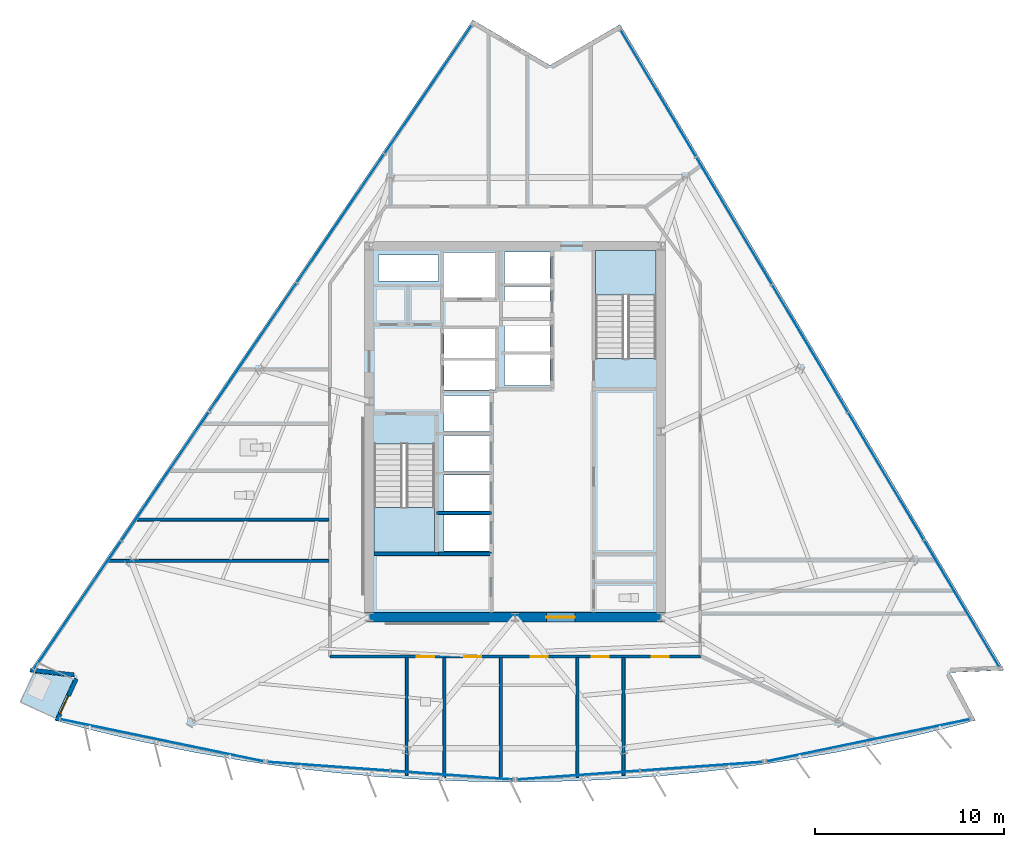
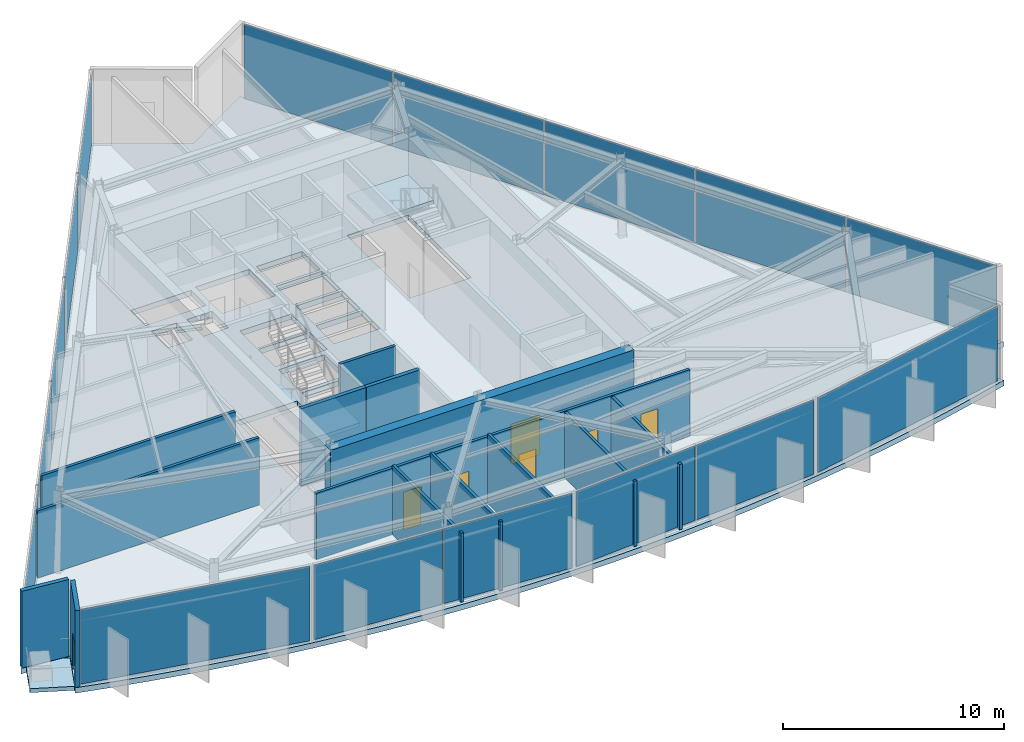
# One storey, part 6 of 13: 16 plates, 14 walls, 7 doors, 4 slabs, 7 openings, 8 elements without a shape of their own.
"""IFC4 building model written with IfcOpenShell, lengths in metres."""

from ifc_helpers import new_model, si_unit, direction, frame, frame_2d, origin, origin_2d, place, context, subcontext, project, spatial, polyline, rectangle, outline, extrude, material, layer, layer_set, type_object, element, fill, aggregate, save


model = new_model("IFC4")

# Units and contexts
model_context = context("Model", 3, precision=1e-05, world=origin(), true_north=direction((0.0, 1.0)))
body_context = subcontext(model_context, "Body", "Model", "MODEL_VIEW")
ifc_project = project(units=[si_unit("LENGTHUNIT", "METRE"), si_unit("AREAUNIT", "SQUARE_METRE"), si_unit("VOLUMEUNIT", "CUBIC_METRE"), si_unit("PLANEANGLEUNIT", "RADIAN"), si_unit("MASSUNIT", "GRAM", prefix="KILO")], contexts=[model_context])

# Site, building, storey
site_placement = place(None, origin())
site = spatial("IfcSite", under=ifc_project, at=site_placement, CompositionType="ELEMENT")
building_placement = place(site_placement, origin())
building = spatial("IfcBuilding", under=site, at=building_placement, Name="Savorim Split Tower", CompositionType="ELEMENT")
storey_placement = place(building_placement, frame((0.0, 0.0, 190.199951171875)))
storey = spatial("IfcBuildingStorey", under=building, at=storey_placement, Name="L50", CompositionType="ELEMENT", Elevation=190.199951171875)

# Curtain wall, plate
ifc_material_1 = material(Name="Dark Ceramic-Fritted Insulated Glass", Category="glass")
curtain_wall_type = type_object("IfcCurtainWallType", Name="CW-SKY-ATRIUM", PredefinedType="NOTDEFINED", material=ifc_material_1)
curtain_wall_1_placement = place(storey_placement, origin())
curtain_wall_1 = element("IfcCurtainWall", 1, at=curtain_wall_1_placement, inside=storey, type_object=curtain_wall_type, Name="L50 Curtain Wall CW-L50-SF1", PredefinedType="NOTDEFINED")
ifc_layer_1 = layer(ifc_material_1, 0.028076171875)
ifc_layer_set_1 = layer_set([ifc_layer_1], Name="CWP-FRITA-28")
plate_type = type_object("IfcPlateType", Name="CWP-FRITA-28", PredefinedType="CURTAIN_PANEL", material=ifc_layer_set_1)
plate_1_placement = place(storey_placement, frame((-18.65283203125, -15.901123046875, 0.06005859375), z_axis=(0.0, 0.0, 1.0), x_axis=(0.979135601511, -0.203207957161, 0.0)))
plate_1 = element("IfcPlate", 2, at=plate_1_placement, type_object=plate_type, Name="CW-05 panel 1.1", PredefinedType="CURTAIN_PANEL", context=body_context, shape_type="SweptSolid", body=[
    extrude(rectangle(XDim=10.926513671875, YDim=0.028076171875, at=origin_2d()), origin(), (0.0, 0.0, 1.0), 4.1298828125),
])
aggregate(curtain_wall_1, [plate_1])

# Curtain wall, plates
curtain_wall_2_placement = place(storey_placement, origin())
curtain_wall_2 = element("IfcCurtainWall", 3, at=curtain_wall_2_placement, inside=storey, type_object=curtain_wall_type, Name="L50 Curtain Wall CW-L50-SF2", PredefinedType="NOTDEFINED")
plate_2_placement = place(storey_placement, frame((-9.844482421875, -17.27587890625, 0.06005859375), z_axis=(0.0, 0.0, 1.0), x_axis=(0.997436161804, -0.071561883187, 0.0)))
plate_2 = element("IfcPlate", 4, at=plate_2_placement, type_object=plate_type, Name="CW-05 panel 1.1", PredefinedType="CURTAIN_PANEL", context=body_context, shape_type="SweptSolid", body=[
    extrude(rectangle(XDim=6.4521484375, YDim=0.028076171875, at=origin_2d()), origin(), (0.0, 0.0, 1.0), 4.1298828125),
])
plate_3_placement = place(storey_placement, frame((-3.3388671875, -17.742431640625, 0.06005859375), z_axis=(0.0, 0.0, 1.0), x_axis=(0.997436161804, -0.071561883187, 0.0)))
plate_3 = element("IfcPlate", 5, at=plate_3_placement, type_object=plate_type, Name="CW-05 panel 2.1", PredefinedType="CURTAIN_PANEL", context=body_context, shape_type="SweptSolid", body=[
    extrude(rectangle(XDim=6.4521484375, YDim=0.028076171875, at=origin_2d()), origin(), (0.0, 0.0, 1.0), 4.1298828125),
])
aggregate(curtain_wall_2, [plate_2, plate_3])

curtain_wall_3_placement = place(storey_placement, origin())
curtain_wall_3 = element("IfcCurtainWall", 6, at=curtain_wall_3_placement, inside=storey, type_object=curtain_wall_type, Name="L50 Curtain Wall CW-L50-SF3", PredefinedType="NOTDEFINED")
plate_4_placement = place(storey_placement, frame((3.3388671875, -17.742431640625, 0.06005859375), z_axis=(0.0, 0.0, 1.0), x_axis=(0.997436161804, 0.071561883187, 0.0)))
plate_4 = element("IfcPlate", 7, at=plate_4_placement, type_object=plate_type, Name="CW-05 panel 1.1", PredefinedType="CURTAIN_PANEL", context=body_context, shape_type="SweptSolid", body=[
    extrude(rectangle(XDim=6.4521484375, YDim=0.028076171875, at=origin_2d()), origin(), (0.0, 0.0, 1.0), 4.1298828125),
])
plate_5_placement = place(storey_placement, frame((9.844482421875, -17.27587890625, 0.06005859375), z_axis=(0.0, 0.0, 1.0), x_axis=(0.997436161804, 0.071561883187, 0.0)))
plate_5 = element("IfcPlate", 8, at=plate_5_placement, type_object=plate_type, Name="CW-05 panel 2.1", PredefinedType="CURTAIN_PANEL", context=body_context, shape_type="SweptSolid", body=[
    extrude(rectangle(XDim=6.4521484375, YDim=0.028076171875, at=origin_2d()), origin(), (0.0, 0.0, 1.0), 4.1298828125),
])
aggregate(curtain_wall_3, [plate_4, plate_5])

# Curtain wall, plate
curtain_wall_4_placement = place(storey_placement, origin())
curtain_wall_4 = element("IfcCurtainWall", 9, at=curtain_wall_4_placement, inside=storey, type_object=curtain_wall_type, Name="L50 Curtain Wall CW-L50-SF4", PredefinedType="NOTDEFINED")
plate_6_placement = place(storey_placement, frame((18.65283203125, -15.901123046875, 0.06005859375), z_axis=(0.0, 0.0, 1.0), x_axis=(0.979135601511, 0.203207957161, 0.0)))
plate_6 = element("IfcPlate", 10, at=plate_6_placement, type_object=plate_type, Name="CW-05 panel 1.1", PredefinedType="CURTAIN_PANEL", context=body_context, shape_type="SweptSolid", body=[
    extrude(rectangle(XDim=10.926513671875, YDim=0.028076171875, at=origin_2d()), origin(), (0.0, 0.0, 1.0), 4.1298828125),
])
aggregate(curtain_wall_4, [plate_6])

# Curtain wall, plates
curtain_wall_5_placement = place(storey_placement, origin())
curtain_wall_5 = element("IfcCurtainWall", 11, at=curtain_wall_5_placement, inside=storey, type_object=curtain_wall_type, Name="L50 Curtain Wall CW-L50-EAST", PredefinedType="NOTDEFINED")
plate_7_placement = place(storey_placement, frame((23.58740234375, -8.68603515625, 0.06005859375), z_axis=(0.0, 0.0, 1.0), x_axis=(-0.511092138209, 0.859525931116, 0.0)))
plate_7 = element("IfcPlate", 12, at=plate_7_placement, type_object=plate_type, Name="CW-05 panel 1.1", PredefinedType="CURTAIN_PANEL", context=body_context, shape_type="SweptSolid", body=[
    extrude(rectangle(XDim=7.7412109375, YDim=0.028076171875, at=origin_2d()), origin(), (0.0, 0.0, 1.0), 4.1298828125),
])
plate_8_placement = place(storey_placement, frame((19.586181640625, -1.957275390625, 0.06005859375), z_axis=(0.0, 0.0, 1.0), x_axis=(-0.511092138209, 0.859525931116, 0.0)))
plate_8 = element("IfcPlate", 13, at=plate_8_placement, type_object=plate_type, Name="CW-05 panel 2.1", PredefinedType="CURTAIN_PANEL", context=body_context, shape_type="SweptSolid", body=[
    extrude(rectangle(XDim=7.776123046875, YDim=0.028076171875, at=origin_2d()), origin(), (0.0, 0.0, 1.0), 4.1298828125),
])
plate_9_placement = place(storey_placement, frame((15.576171875, 4.786865234375, 0.06005859375), z_axis=(0.0, 0.0, 1.0), x_axis=(-0.511092138209, 0.859525931116, 0.0)))
plate_9 = element("IfcPlate", 14, at=plate_9_placement, type_object=plate_type, Name="CW-05 panel 3.1", PredefinedType="CURTAIN_PANEL", context=body_context, shape_type="SweptSolid", body=[
    extrude(rectangle(XDim=7.776123046875, YDim=0.028076171875, at=origin_2d()), origin(), (0.0, 0.0, 1.0), 4.1298828125),
])
plate_10_placement = place(storey_placement, frame((11.566162109375, 11.53076171875, 0.06005859375), z_axis=(0.0, 0.0, 1.0), x_axis=(-0.511092138209, 0.859525931116, 0.0)))
plate_10 = element("IfcPlate", 15, at=plate_10_placement, type_object=plate_type, Name="CW-05 panel 4.1", PredefinedType="CURTAIN_PANEL", context=body_context, shape_type="SweptSolid", body=[
    extrude(rectangle(XDim=7.776123046875, YDim=0.028076171875, at=origin_2d()), origin(), (0.0, 0.0, 1.0), 4.1298828125),
])
plate_11_placement = place(storey_placement, frame((7.56494140625, 18.259765625, 0.06005859375), z_axis=(0.0, 0.0, 1.0), x_axis=(-0.511092138209, 0.859525931116, 0.0)))
plate_11 = element("IfcPlate", 16, at=plate_11_placement, type_object=plate_type, Name="CW-05 panel 5.1", PredefinedType="CURTAIN_PANEL", context=body_context, shape_type="SweptSolid", body=[
    extrude(rectangle(XDim=7.7412109375, YDim=0.028076171875, at=origin_2d()), origin(), (0.0, 0.0, 1.0), 4.1298828125),
])
aggregate(curtain_wall_5, [plate_7, plate_8, plate_9, plate_10, plate_11])

curtain_wall_6_placement = place(storey_placement, origin())
curtain_wall_6 = element("IfcCurtainWall", 17, at=curtain_wall_6_placement, inside=storey, type_object=curtain_wall_type, Name="L50 Curtain Wall CW-L50-WEST", PredefinedType="NOTDEFINED")
plate_12_placement = place(storey_placement, frame((-4.5849609375, 18.462890625, 0.06005859375), z_axis=(0.0, 0.0, 1.0), x_axis=(-0.562466126845, -0.826820328821, 0.0)))
plate_12 = element("IfcPlate", 18, at=plate_12_placement, type_object=plate_type, Name="CW-05 panel 1.1", PredefinedType="CURTAIN_PANEL", context=body_context, shape_type="SweptSolid", body=[
    extrude(rectangle(XDim=8.13671875, YDim=0.028076171875, at=origin_2d()), origin(), (0.0, 0.0, 1.0), 4.1298828125),
])
plate_13_placement = place(storey_placement, frame((-9.2109375, 11.6630859375, 0.06005859375), z_axis=(0.0, 0.0, 1.0), x_axis=(-0.562466126845, -0.826820328821, 0.0)))
plate_13 = element("IfcPlate", 19, at=plate_13_placement, type_object=plate_type, Name="CW-05 panel 2.1", PredefinedType="CURTAIN_PANEL", context=body_context, shape_type="SweptSolid", body=[
    extrude(rectangle(XDim=8.171630859375, YDim=0.028076171875, at=origin_2d()), origin(), (0.0, 0.0, 1.0), 4.1298828125),
])
plate_14_placement = place(storey_placement, frame((-13.846435546875, 4.8486328125, 0.06005859375), z_axis=(0.0, 0.0, 1.0), x_axis=(-0.562466126845, -0.826820328821, 0.0)))
plate_14 = element("IfcPlate", 20, at=plate_14_placement, type_object=plate_type, Name="CW-05 panel 3.1", PredefinedType="CURTAIN_PANEL", context=body_context, shape_type="SweptSolid", body=[
    extrude(rectangle(XDim=8.171630859375, YDim=0.028076171875, at=origin_2d()), origin(), (0.0, 0.0, 1.0), 4.1298828125),
])
plate_15_placement = place(storey_placement, frame((-18.482177734375, -1.9658203125, 0.06005859375), z_axis=(0.0, 0.0, 1.0), x_axis=(-0.562466126845, -0.826820328821, 0.0)))
plate_15 = element("IfcPlate", 21, at=plate_15_placement, type_object=plate_type, Name="CW-05 panel 4.1", PredefinedType="CURTAIN_PANEL", context=body_context, shape_type="SweptSolid", body=[
    extrude(rectangle(XDim=8.171630859375, YDim=0.028076171875, at=origin_2d()), origin(), (0.0, 0.0, 1.0), 4.1298828125),
])
plate_16_placement = place(storey_placement, frame((-23.10791015625, -8.765625, 0.06005859375), z_axis=(0.0, 0.0, 1.0), x_axis=(-0.562466126845, -0.826820328821, 0.0)))
plate_16 = element("IfcPlate", 22, at=plate_16_placement, type_object=plate_type, Name="CW-05 panel 5.1", PredefinedType="CURTAIN_PANEL", context=body_context, shape_type="SweptSolid", body=[
    extrude(rectangle(XDim=8.13671875, YDim=0.028076171875, at=origin_2d()), origin(), (0.0, 0.0, 1.0), 4.1298828125),
])
aggregate(curtain_wall_6, [plate_12, plate_13, plate_14, plate_15, plate_16])

# Slab
ifc_material_2 = material(Name="Concrete C50/60", Category="concrete")
ifc_layer_2 = layer(ifc_material_2, 0.219970703125)
ifc_layer_set_2 = layer_set([ifc_layer_2], Name="SLB-BAL-220")
slab_type_1 = type_object("IfcSlabType", Name="SLB-BAL-220", PredefinedType="FLOOR", material=ifc_layer_set_2)
slab_1_placement = place(storey_placement, frame((0.0, 0.0, -0.219970703125)))
element("IfcSlab", 23, at=slab_1_placement, inside=storey, type_object=slab_type_1, Name="L50 Notched Corner Planted Tree Balcony Slab", PredefinedType="FLOOR", context=body_context, shape_type="SweptSolid", body=[
    extrude(outline(polyline([(-24.264892578125, -14.738525390625), (-23.3173828125, -12.676025390625), (-23.627685546875, -12.533447265625), (-25.410888671875, -12.33447265625), (-26.123046875, -13.884765625), (-24.264892578125, -14.738525390625)])), origin(), (0.0, 0.0, 1.0), 0.219970703125),
])

# Stair, slab
stair_type = type_object("IfcStairType", Name="STR-DOG-4500", PredefinedType="HALF_TURN_STAIR", material=ifc_material_2)
stair_1_placement = place(storey_placement, origin())
stair_1 = element("IfcStair", 24, at=stair_1_placement, inside=storey, type_object=stair_type, Name="L50 Core Protected Exit Stair ST-1", PredefinedType="HALF_TURN_STAIR")
ifc_layer_3 = layer(ifc_material_2, 0.199951171875)
ifc_layer_set_3 = layer_set([ifc_layer_3], Name="SLB-LND-200")
slab_type_2 = type_object("IfcSlabType", Name="SLB-LND-200", PredefinedType="LANDING", material=ifc_layer_set_3)
slab_2_placement = place(storey_placement, frame((0.0, 0.0, 2.050048828125)))
slab_2 = element("IfcSlab", 25, at=slab_2_placement, type_object=slab_type_2, Name="ST-1 landing 1", PredefinedType="LANDING", context=body_context, shape_type="SweptSolid", body=[
    extrude(outline(polyline([(-7.449951171875, -3.610107421875), (-7.449951171875, -5.949951171875), (-4.25, -5.949951171875), (-4.25, -3.610107421875), (-7.449951171875, -3.610107421875)])), origin(), (0.0, 0.0, 1.0), 0.199951171875),
])
aggregate(stair_1, [slab_2])

stair_2_placement = place(storey_placement, origin())
stair_2 = element("IfcStair", 26, at=stair_2_placement, inside=storey, type_object=stair_type, Name="L50 Core Protected Exit Stair ST-2", PredefinedType="HALF_TURN_STAIR")
slab_3_placement = place(storey_placement, frame((0.0, 0.0, 2.050048828125)))
slab_3 = element("IfcSlab", 27, at=slab_3_placement, type_object=slab_type_2, Name="ST-2 landing 1", PredefinedType="LANDING", context=body_context, shape_type="SweptSolid", body=[
    extrude(outline(polyline([(7.449951171875, 7.610107421875), (7.449951171875, 9.949951171875), (4.25, 9.949951171875), (4.25, 7.610107421875), (7.449951171875, 7.610107421875)])), origin(), (0.0, 0.0, 1.0), 0.199951171875),
])
aggregate(stair_2, [slab_3])

# Slab
ifc_layer_4 = layer(ifc_material_2, 0.300048828125)
ifc_layer_set_4 = layer_set([ifc_layer_4], Name="SLB-SKY-300")
slab_type_3 = type_object("IfcSlabType", Name="SLB-SKY-300", PredefinedType="FLOOR", material=ifc_layer_set_4)
slab_4_placement = place(storey_placement, frame((0.0, 0.0, -0.300048828125)))
element("IfcSlab", 28, at=slab_4_placement, inside=storey, type_object=slab_type_3, Name="L50 Structural Floor Slab", PredefinedType="FLOOR", context=body_context, shape_type="SweptSolid", body=[
    extrude(outline(polyline([(-24.310302734375, -14.849609375), (-22.479736328125, -15.328369140625), (-20.6396484375, -15.76953125), (-18.791015625, -16.173095703125), (-16.934326171875, -16.53857421875), (-15.070556640625, -16.865966796875), (-13.20068359375, -17.1552734375), (-11.3251953125, -17.40625), (-9.44482421875, -17.618896484375), (-7.560546875, -17.792724609375), (-5.673095703125, -17.92822265625), (-3.783447265625, -18.02490234375), (-1.89208984375, -18.0830078125), (0.0, -18.102294921875), (1.89208984375, -18.0830078125), (3.783447265625, -18.02490234375), (5.673095703125, -17.92822265625), (7.560546875, -17.792724609375), (9.44482421875, -17.618896484375), (11.3251953125, -17.40625), (13.20068359375, -17.1552734375), (15.070556640625, -16.865966796875), (16.934326171875, -16.53857421875), (18.791015625, -16.173095703125), (20.6396484375, -15.76953125), (22.479736328125, -15.328369140625), (24.310302734375, -14.849609375), (22.95458984375, -12.32275390625), (25.81689453125, -12.200927734375), (5.54150390625, 21.897216796875), (1.84033203125, 19.739990234375), (-2.23291015625, 22.134033203125), (-25.65869140625, -12.3017578125), (-23.2626953125, -12.569091796875), (-24.310302734375, -14.849609375)]), holes=[polyline([(-7.449951171875, -0.25390625), (-7.449951171875, -5.949951171875), (-4.25, -5.949951171875), (-4.25, -0.25390625), (-7.449951171875, -0.25390625)]), polyline([(7.449951171875, 4.25390625), (7.449951171875, 9.949951171875), (4.25, 9.949951171875), (4.25, 4.25390625), (7.449951171875, 4.25390625)]), polyline([(-3.75, -5.89990234375), (-1.35009765625, -5.89990234375), (-1.35009765625, -4.0), (-3.75, -4.0), (-3.75, -5.89990234375)]), polyline([(-3.75, -3.800048828125), (-1.35009765625, -3.800048828125), (-1.35009765625, -1.89990234375), (-3.75, -1.89990234375), (-3.75, -3.800048828125)]), polyline([(-3.75, -1.699951171875), (-1.35009765625, -1.699951171875), (-1.35009765625, 0.199951171875), (-3.75, 0.199951171875), (-3.75, -1.699951171875)]), polyline([(-3.75, 0.39990234375), (-1.35009765625, 0.39990234375), (-1.35009765625, 2.300048828125), (-3.75, 2.300048828125), (-3.75, 0.39990234375)]), polyline([(-0.550048828125, 2.830078125), (1.85009765625, 2.830078125), (1.85009765625, 4.469970703125), (-0.550048828125, 4.469970703125), (-0.550048828125, 2.830078125)]), polyline([(-0.550048828125, 4.6298828125), (1.85009765625, 4.6298828125), (1.85009765625, 6.27001953125), (-0.550048828125, 6.27001953125), (-0.550048828125, 4.6298828125)]), polyline([(-0.550048828125, 6.429931640625), (1.85009765625, 6.429931640625), (1.85009765625, 8.070068359375), (-0.550048828125, 8.070068359375), (-0.550048828125, 6.429931640625)]), polyline([(-0.550048828125, 8.22998046875), (1.85009765625, 8.22998046875), (1.85009765625, 9.8701171875), (-0.550048828125, 9.8701171875), (-0.550048828125, 8.22998046875)]), polyline([(-3.75, 2.60009765625), (-1.050048828125, 2.60009765625), (-1.050048828125, 4.159912109375), (-3.75, 4.159912109375), (-3.75, 2.60009765625)]), polyline([(-3.75, 4.280029296875), (-1.050048828125, 4.280029296875), (-1.050048828125, 5.840087890625), (-3.75, 5.840087890625), (-3.75, 4.280029296875)]), polyline([(-3.75, 7.449951171875), (-0.949951171875, 7.449951171875), (-0.949951171875, 9.85009765625), (-3.75, 9.85009765625), (-3.75, 7.449951171875)]), polyline([(-7.219970703125, 6.320068359375), (-5.919921875, 6.320068359375), (-5.919921875, 7.820068359375), (-7.219970703125, 7.820068359375), (-7.219970703125, 6.320068359375)]), polyline([(-5.3798828125, 6.320068359375), (-4.050048828125, 6.320068359375), (-4.050048828125, 7.820068359375), (-5.3798828125, 7.820068359375), (-5.3798828125, 6.320068359375)]), polyline([(-7.219970703125, 8.360107421875), (-4.050048828125, 8.360107421875), (-4.050048828125, 9.719970703125), (-7.219970703125, 9.719970703125), (-7.219970703125, 8.360107421875)])]), origin(), (0.0, 0.0, 1.0), 0.300048828125),
])

# Wall, opening, door
ifc_material_3 = material(Name="Concrete C60/75", Category="concrete")
ifc_layer_5 = layer(ifc_material_3, 0.5)
ifc_layer_set_5 = layer_set([ifc_layer_5], Name="WAL-COR-SH500")
wall_type_1 = type_object("IfcWallType", Name="WAL-COR-SH500", PredefinedType="SHEAR", material=ifc_layer_set_5)
wall_1_placement = place(storey_placement, frame((-7.949951171875, -9.39990234375, 0.0), z_axis=(0.0, 0.0, 1.0), x_axis=(1.0, 0.0, 0.0)))
wall_1 = element("IfcWall", 29, at=wall_1_placement, inside=storey, type_object=wall_type_1, Name="L50 Offset Core South Shear Wall", PredefinedType="SHEAR", context=body_context, shape_type="SweptSolid", body=[
    extrude(rectangle(XDim=15.89990234375, YDim=0.5, at=frame_2d((7.949951171875, 0.0))), origin(), (0.0, 0.0, 1.0), 4.25),
])
opening_1_placement = place(wall_1_placement, frame((9.60009765625, 0.0, 0.0)))
opening_1 = element("IfcOpeningElement", 30, at=opening_1_placement, cuts=wall_1, Name="Opening DI-02", PredefinedType="OPENING", context=body_context, shape_type="SweptSolid", body=[
    extrude(rectangle(XDim=1.5, YDim=2.199951171875, at=frame_2d((0.75, 1.10009765625))), frame((0.0, 0.260009765625, 0.0), z_axis=(0.0, -1.0, 0.0), x_axis=(1.0, 0.0, 0.0)), (0.0, 0.0, 1.0), 0.52001953125),
])
ifc_material_4 = material(Name="Timber Fire Door Leaf", Category="wood")
door_type_1 = type_object("IfcDoorType", Name="DOR-DBL-1500", OperationType="NOTDEFINED", PredefinedType="DOOR", material=ifc_material_4)
door_1_placement = place(opening_1_placement, origin())
door_1 = element("IfcDoor", 31, at=door_1_placement, inside=storey, type_object=door_type_1, Name="DOR-L50-COR-LLOB - L50 Lift Lobby Main Rated Door", OperationType="DOUBLE_DOOR_SINGLE_SWING", OverallHeight=2.199951171875, OverallWidth=1.5, PredefinedType="DOOR", context=body_context, shape_type="SweptSolid", body=[
    extrude(rectangle(XDim=1.5, YDim=2.199951171875, at=frame_2d((0.75, 1.10009765625))), frame((0.0, 0.02490234375, 0.0), z_axis=(0.0, -1.0, 0.0), x_axis=(1.0, 0.0, 0.0)), (0.0, 0.0, 1.0), 0.050048828125),
])
fill(opening_1, door_1)

# Wall
ifc_material_5 = material(Name="Precast concrete C40/50", Category="concrete")
ifc_layer_6 = layer(ifc_material_5, 0.219970703125)
ifc_layer_set_6 = layer_set([ifc_layer_6], Name="WAL-EXT-CRN220")
wall_type_2 = type_object("IfcWallType", Name="WAL-EXT-CRN220", PredefinedType="SOLIDWALL", material=ifc_layer_set_6)
wall_2_placement = place(storey_placement, frame((-23.2890625, -12.445556640625, 0.0), z_axis=(0.0, 0.0, 1.0), x_axis=(-0.993829972675, 0.110914315635, 0.0)))
element("IfcWall", 32, at=wall_2_placement, inside=storey, type_object=wall_type_2, Name="L50 Notched Corner Facade Wall SW1", PredefinedType="SOLIDWALL", context=body_context, shape_type="SweptSolid", body=[
    extrude(rectangle(XDim=2.3310546875, YDim=0.219970703125, at=frame_2d((1.16552734375, 0.0))), origin(), (0.0, 0.0, 1.0), 4.25),
])

# Wall, opening, door
wall_3_placement = place(storey_placement, frame((-24.184814453125, -14.86328125, 0.0), z_axis=(0.0, 0.0, 1.0), x_axis=(0.417509141111, 0.90867272276, 0.0)))
wall_3 = element("IfcWall", 33, at=wall_3_placement, inside=storey, type_object=wall_type_2, Name="L50 Notched Corner Facade Wall SW", PredefinedType="SOLIDWALL", context=body_context, shape_type="SweptSolid", body=[
    extrude(rectangle(XDim=2.4296875, YDim=0.219970703125, at=frame_2d((1.21484375, 0.0))), origin(), (0.0, 0.0, 1.0), 4.25),
])
opening_2_placement = place(wall_3_placement, frame((0.389892578125, 0.0, 0.0)))
opening_2 = element("IfcOpeningElement", 34, at=opening_2_placement, cuts=wall_3, Name="Opening DB-01", PredefinedType="OPENING", context=body_context, shape_type="SweptSolid", body=[
    extrude(rectangle(XDim=1.050048828125, YDim=2.14990234375, at=frame_2d((0.52490234375, 1.074951171875))), frame((0.0, 0.119873046875, 0.0), z_axis=(0.0, -1.0, 0.0), x_axis=(1.0, 0.0, 0.0)), (0.0, 0.0, 1.0), 0.239990234375),
])
ifc_material_6 = material(Name="Charcoal Anodised Aluminium", Category="aluminium")
door_type_2 = type_object("IfcDoorType", Name="DOR-BAL-1050", OperationType="NOTDEFINED", PredefinedType="DOOR", material=ifc_material_6)
door_2_placement = place(opening_2_placement, origin())
door_2 = element("IfcDoor", 35, at=door_2_placement, inside=storey, type_object=door_type_2, Name="DOR-L50-TBAL-SW - L50 Planted Tree Balcony Door SW", OperationType="SINGLE_SWING_LEFT", OverallHeight=2.14990234375, OverallWidth=1.050048828125, PredefinedType="DOOR", context=body_context, shape_type="SweptSolid", body=[
    extrude(rectangle(XDim=1.050048828125, YDim=2.14990234375, at=frame_2d((0.52490234375, 1.074951171875))), frame((0.0, 0.02490234375, 0.0), z_axis=(0.0, -1.0, 0.0), x_axis=(1.0, 0.0, 0.0)), (0.0, 0.0, 1.0), 0.050048828125),
])
fill(opening_2, door_2)

# Walls
ifc_layer_7 = layer(ifc_material_2, 0.199951171875)
ifc_layer_set_7 = layer_set([ifc_layer_7], Name="WAL-INT-RC200")
wall_type_3 = type_object("IfcWallType", Name="WAL-INT-RC200", PredefinedType="SOLIDWALL", material=ifc_layer_set_7)
wall_4_placement = place(storey_placement, frame((-7.449951171875, -6.050048828125, 0.0), z_axis=(0.0, 0.0, 1.0), x_axis=(1.0, 0.0, 0.0)))
element("IfcWall", 36, at=wall_4_placement, inside=storey, type_object=wall_type_3, Name="L50 Structural Shaft Wall W-L50-KSEP-W", PredefinedType="SOLIDWALL", context=body_context, shape_type="SweptSolid", body=[
    extrude(rectangle(XDim=3.39990234375, YDim=0.199951171875, at=frame_2d((1.699951171875, 0.0))), origin(), (0.0, 0.0, 1.0), 4.25),
])
wall_5_placement = place(storey_placement, frame((-4.0400390625, -6.050048828125, 0.0), z_axis=(0.0, 0.0, 1.0), x_axis=(1.0, 0.0, 0.0)))
element("IfcWall", 37, at=wall_5_placement, inside=storey, type_object=wall_type_3, Name="L50 Partition W-L50-KSEP-W2", PredefinedType="SOLIDWALL", context=body_context, shape_type="SweptSolid", body=[
    extrude(rectangle(XDim=2.7900390625, YDim=0.199951171875, at=frame_2d((1.39501953125, 0.0))), origin(), (0.0, 0.0, 1.0), 4.25),
])
ifc_material_7 = material(Name="Acoustic Gypsum Partition Board")
ifc_layer_8 = layer(ifc_material_7, 0.14990234375)
ifc_layer_set_8 = layer_set([ifc_layer_8], Name="WAL-PAR-150")
wall_type_4 = type_object("IfcWallType", Name="WAL-PAR-150", PredefinedType="PARTITIONING", material=ifc_layer_set_8)
wall_6_placement = place(storey_placement, frame((-4.14990234375, -3.89990234375, 0.0), z_axis=(0.0, 0.0, 1.0), x_axis=(1.0, 0.0, 0.0)))
element("IfcWall", 38, at=wall_6_placement, inside=storey, type_object=wall_type_4, Name="L50 Partition W-L50-B2DIV1", PredefinedType="PARTITIONING", context=body_context, shape_type="SweptSolid", body=[
    extrude(rectangle(XDim=2.89990234375, YDim=0.14990234375, at=frame_2d((1.449951171875, 0.0))), origin(), (0.0, 0.0, 1.0), 4.25),
])

# Wall, openings, doors
wall_7_placement = place(storey_placement, frame((9.780029296875, -11.47998046875, 0.0), z_axis=(0.0, 0.0, 1.0), x_axis=(-1.0, 0.0, 0.0)))
wall_7 = element("IfcWall", 39, at=wall_7_placement, inside=storey, type_object=wall_type_4, Name="L50 Partition W-L50-COR-06", PredefinedType="PARTITIONING", context=body_context, shape_type="SweptSolid", body=[
    extrude(rectangle(XDim=19.56005859375, YDim=0.14990234375, at=frame_2d((9.780029296875, 0.0))), origin(), (0.0, 0.0, 1.0), 3.675048828125),
])
opening_3_placement = place(wall_7_placement, frame((14.060791015625, 0.0, 0.0)))
opening_3 = element("IfcOpeningElement", 40, at=opening_3_placement, cuts=wall_7, Name="Opening DI-06", PredefinedType="OPENING", context=body_context, shape_type="SweptSolid", body=[
    extrude(rectangle(XDim=0.89990234375, YDim=2.10009765625, at=frame_2d((0.449951171875, 1.050048828125))), frame((0.0, 0.0849609375, 0.0), z_axis=(0.0, -1.0, 0.0), x_axis=(1.0, 0.0, 0.0)), (0.0, 0.0, 1.0), 0.169921875),
])
opening_4_placement = place(wall_7_placement, frame((11.573486328125, 0.0, 0.0)))
opening_4 = element("IfcOpeningElement", 41, at=opening_4_placement, cuts=wall_7, Name="Opening DI-06", PredefinedType="OPENING", context=body_context, shape_type="SweptSolid", body=[
    extrude(rectangle(XDim=0.89990234375, YDim=2.10009765625, at=frame_2d((0.449951171875, 1.050048828125))), frame((0.0, 0.0849609375, 0.0), z_axis=(0.0, -1.0, 0.0), x_axis=(1.0, 0.0, 0.0)), (0.0, 0.0, 1.0), 0.169921875),
])
opening_5_placement = place(wall_7_placement, frame((8.0615234375, 0.0, 0.0)))
opening_5 = element("IfcOpeningElement", 42, at=opening_5_placement, cuts=wall_7, Name="Opening DI-06", PredefinedType="OPENING", context=body_context, shape_type="SweptSolid", body=[
    extrude(rectangle(XDim=0.89990234375, YDim=2.10009765625, at=frame_2d((0.449951171875, 1.050048828125))), frame((0.0, 0.0849609375, 0.0), z_axis=(0.0, -1.0, 0.0), x_axis=(1.0, 0.0, 0.0)), (0.0, 0.0, 1.0), 0.169921875),
])
opening_6_placement = place(wall_7_placement, frame((4.82421875, 0.0, 0.0)))
opening_6 = element("IfcOpeningElement", 43, at=opening_6_placement, cuts=wall_7, Name="Opening DI-06", PredefinedType="OPENING", context=body_context, shape_type="SweptSolid", body=[
    extrude(rectangle(XDim=0.89990234375, YDim=2.10009765625, at=frame_2d((0.449951171875, 1.050048828125))), frame((0.0, 0.0849609375, 0.0), z_axis=(0.0, -1.0, 0.0), x_axis=(1.0, 0.0, 0.0)), (0.0, 0.0, 1.0), 0.169921875),
])
opening_7_placement = place(wall_7_placement, frame((1.6669921875, 0.0, 0.0)))
opening_7 = element("IfcOpeningElement", 44, at=opening_7_placement, cuts=wall_7, Name="Opening DI-06", PredefinedType="OPENING", context=body_context, shape_type="SweptSolid", body=[
    extrude(rectangle(XDim=0.89990234375, YDim=2.10009765625, at=frame_2d((0.449951171875, 1.050048828125))), frame((0.0, 0.0849609375, 0.0), z_axis=(0.0, -1.0, 0.0), x_axis=(1.0, 0.0, 0.0)), (0.0, 0.0, 1.0), 0.169921875),
])
door_type_3 = type_object("IfcDoorType", Name="DOR-FIR-900", OperationType="NOTDEFINED", PredefinedType="DOOR", material=ifc_material_4)
door_3_placement = place(opening_3_placement, origin())
door_3 = element("IfcDoor", 45, at=door_3_placement, inside=storey, type_object=door_type_3, Name="DR-L50-RM05 - L50 Communal Kitchen Entry Door", OperationType="SINGLE_SWING_RIGHT", OverallHeight=2.10009765625, OverallWidth=0.89990234375, PredefinedType="DOOR", context=body_context, shape_type="SweptSolid", body=[
    extrude(rectangle(XDim=0.89990234375, YDim=2.10009765625, at=frame_2d((0.449951171875, 1.050048828125))), frame((0.0, 0.02490234375, 0.0), z_axis=(0.0, -1.0, 0.0), x_axis=(1.0, 0.0, 0.0)), (0.0, 0.0, 1.0), 0.050048828125),
])
fill(opening_3, door_3)
door_4_placement = place(opening_4_placement, origin())
door_4 = element("IfcDoor", 46, at=door_4_placement, inside=storey, type_object=door_type_3, Name="DR-L50-RM06 - L50 Quiet Study Room Entry Door", OperationType="SINGLE_SWING_LEFT", OverallHeight=2.10009765625, OverallWidth=0.89990234375, PredefinedType="DOOR", context=body_context, shape_type="SweptSolid", body=[
    extrude(rectangle(XDim=0.89990234375, YDim=2.10009765625, at=frame_2d((0.449951171875, 1.050048828125))), frame((0.0, 0.02490234375, 0.0), z_axis=(0.0, -1.0, 0.0), x_axis=(1.0, 0.0, 0.0)), (0.0, 0.0, 1.0), 0.050048828125),
])
fill(opening_4, door_4)
door_5_placement = place(opening_5_placement, origin())
door_5 = element("IfcDoor", 47, at=door_5_placement, inside=storey, type_object=door_type_3, Name="DR-L50-RM07 - L50 Co-Working Commons Entry Door", OperationType="SINGLE_SWING_RIGHT", OverallHeight=2.10009765625, OverallWidth=0.89990234375, PredefinedType="DOOR", context=body_context, shape_type="SweptSolid", body=[
    extrude(rectangle(XDim=0.89990234375, YDim=2.10009765625, at=frame_2d((0.449951171875, 1.050048828125))), frame((0.0, 0.02490234375, 0.0), z_axis=(0.0, -1.0, 0.0), x_axis=(1.0, 0.0, 0.0)), (0.0, 0.0, 1.0), 0.050048828125),
])
fill(opening_5, door_5)
door_6_placement = place(opening_6_placement, origin())
door_6 = element("IfcDoor", 48, at=door_6_placement, inside=storey, type_object=door_type_3, Name="DR-L50-RM08 - L50 Quiet Study Room Entry Door", OperationType="SINGLE_SWING_LEFT", OverallHeight=2.10009765625, OverallWidth=0.89990234375, PredefinedType="DOOR", context=body_context, shape_type="SweptSolid", body=[
    extrude(rectangle(XDim=0.89990234375, YDim=2.10009765625, at=frame_2d((0.449951171875, 1.050048828125))), frame((0.0, 0.02490234375, 0.0), z_axis=(0.0, -1.0, 0.0), x_axis=(1.0, 0.0, 0.0)), (0.0, 0.0, 1.0), 0.050048828125),
])
fill(opening_6, door_6)
door_7_placement = place(opening_7_placement, origin())
door_7 = element("IfcDoor", 49, at=door_7_placement, inside=storey, type_object=door_type_3, Name="DR-L50-RM09 - L50 Communal Lounge Entry Door", OperationType="SINGLE_SWING_RIGHT", OverallHeight=2.10009765625, OverallWidth=0.89990234375, PredefinedType="DOOR", context=body_context, shape_type="SweptSolid", body=[
    extrude(rectangle(XDim=0.89990234375, YDim=2.10009765625, at=frame_2d((0.449951171875, 1.050048828125))), frame((0.0, 0.02490234375, 0.0), z_axis=(0.0, -1.0, 0.0), x_axis=(1.0, 0.0, 0.0)), (0.0, 0.0, 1.0), 0.050048828125),
])
fill(opening_7, door_7)

# Walls
wall_8_placement = place(storey_placement, frame((-5.72412109375, -11.5400390625, 0.0), z_axis=(0.0, 0.0, 1.0), x_axis=(0.0, -1.0, 0.0)))
element("IfcWall", 50, at=wall_8_placement, inside=storey, type_object=wall_type_4, Name="L50 Partition W-L50-SLR02", PredefinedType="PARTITIONING", context=body_context, shape_type="SweptSolid", body=[
    extrude(rectangle(XDim=6.214111328125, YDim=0.14990234375, at=frame_2d((3.10693359375, 0.0))), origin(), (0.0, 0.0, 1.0), 3.8349609375),
])
wall_9_placement = place(storey_placement, frame((5.72412109375, -11.5400390625, 0.0), z_axis=(0.0, 0.0, 1.0), x_axis=(0.0, -1.0, 0.0)))
element("IfcWall", 51, at=wall_9_placement, inside=storey, type_object=wall_type_4, Name="L50 Partition W-L50-SLR03", PredefinedType="PARTITIONING", context=body_context, shape_type="SweptSolid", body=[
    extrude(rectangle(XDim=6.214111328125, YDim=0.14990234375, at=frame_2d((3.10693359375, 0.0))), origin(), (0.0, 0.0, 1.0), 3.625),
])
wall_10_placement = place(storey_placement, frame((-9.840087890625, -6.4296875, 0.0), z_axis=(0.0, 0.0, 1.0), x_axis=(-1.0, 0.0, 0.0)))
element("IfcWall", 52, at=wall_10_placement, inside=storey, type_object=wall_type_4, Name="L50 Partition W-L50-SLR10", PredefinedType="PARTITIONING", context=body_context, shape_type="SweptSolid", body=[
    extrude(rectangle(XDim=11.618408203125, YDim=0.14990234375, at=frame_2d((5.80908203125, 0.0))), origin(), (0.0, 0.0, 1.0), 3.72509765625),
])
wall_11_placement = place(storey_placement, frame((-0.75, -11.5400390625, 0.0), z_axis=(0.0, 0.0, 1.0), x_axis=(0.0, -1.0, 0.0)))
element("IfcWall", 53, at=wall_11_placement, inside=storey, type_object=wall_type_4, Name="L50 Partition W-L50-SLSUB02", PredefinedType="PARTITIONING", context=body_context, shape_type="SweptSolid", body=[
    extrude(rectangle(XDim=6.384765625, YDim=0.14990234375, at=frame_2d((3.1923828125, 0.0))), origin(), (0.0, 0.0, 1.0), 3.8349609375),
])
wall_12_placement = place(storey_placement, frame((-9.840087890625, -4.251708984375, 0.0), z_axis=(0.0, 0.0, 1.0), x_axis=(-1.0, 0.0, 0.0)))
element("IfcWall", 54, at=wall_12_placement, inside=storey, type_object=wall_type_4, Name="L50 Partition W-L50-SLSUB05", PredefinedType="PARTITIONING", context=body_context, shape_type="SweptSolid", body=[
    extrude(rectangle(XDim=10.13671875, YDim=0.14990234375, at=frame_2d((5.068359375, 0.0))), origin(), (0.0, 0.0, 1.0), 3.8349609375),
])
wall_13_placement = place(storey_placement, frame((-3.737060546875, -11.5400390625, 0.0), z_axis=(0.0, 0.0, 1.0), x_axis=(0.0, -1.0, 0.0)))
element("IfcWall", 55, at=wall_13_placement, inside=storey, type_object=wall_type_4, Name="L50 Partition W-L50-SLSUB06", PredefinedType="PARTITIONING", context=body_context, shape_type="SweptSolid", body=[
    extrude(rectangle(XDim=6.316162109375, YDim=0.14990234375, at=frame_2d((3.158203125, 0.0))), origin(), (0.0, 0.0, 1.0), 3.8349609375),
])
wall_14_placement = place(storey_placement, frame((3.287109375, -11.5400390625, 0.0), z_axis=(0.0, 0.0, 1.0), x_axis=(0.0, -1.0, 0.0)))
element("IfcWall", 56, at=wall_14_placement, inside=storey, type_object=wall_type_4, Name="L50 Partition W-L50-SLSUB07", PredefinedType="PARTITIONING", context=body_context, shape_type="SweptSolid", body=[
    extrude(rectangle(XDim=6.330078125, YDim=0.14990234375, at=frame_2d((3.1650390625, 0.0))), origin(), (0.0, 0.0, 1.0), 3.625),
])

save(model, "model.ifc")
